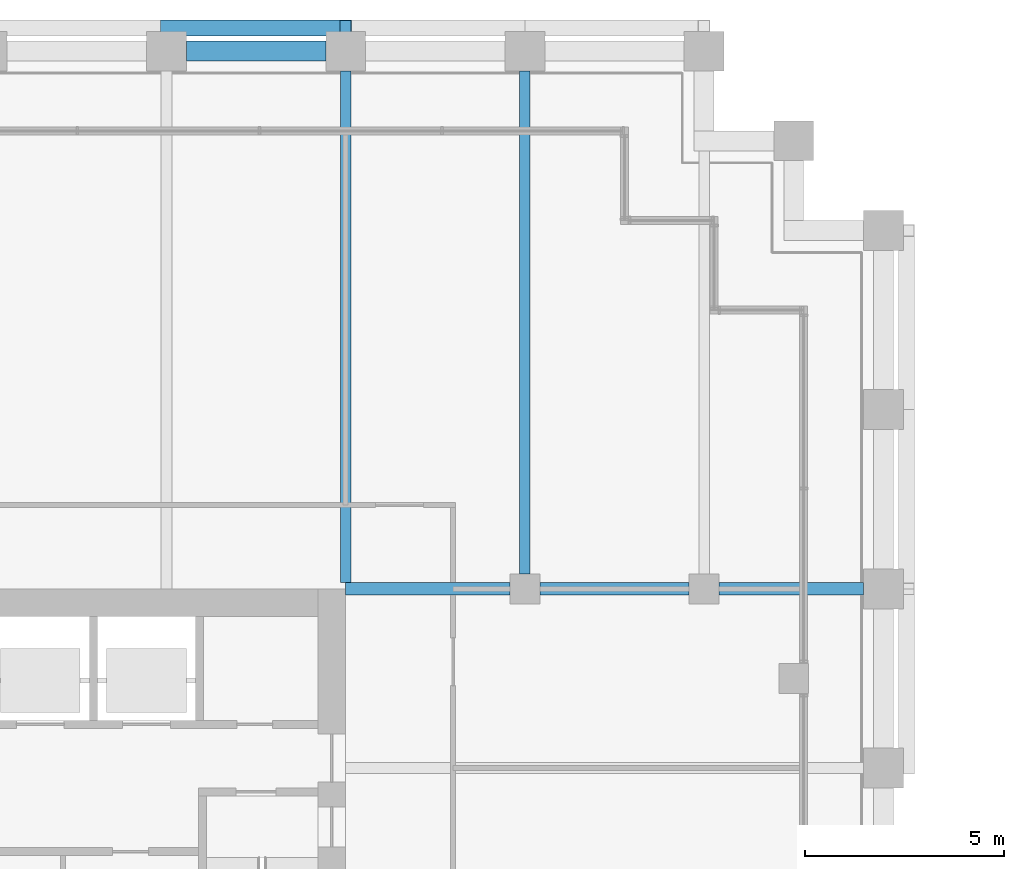
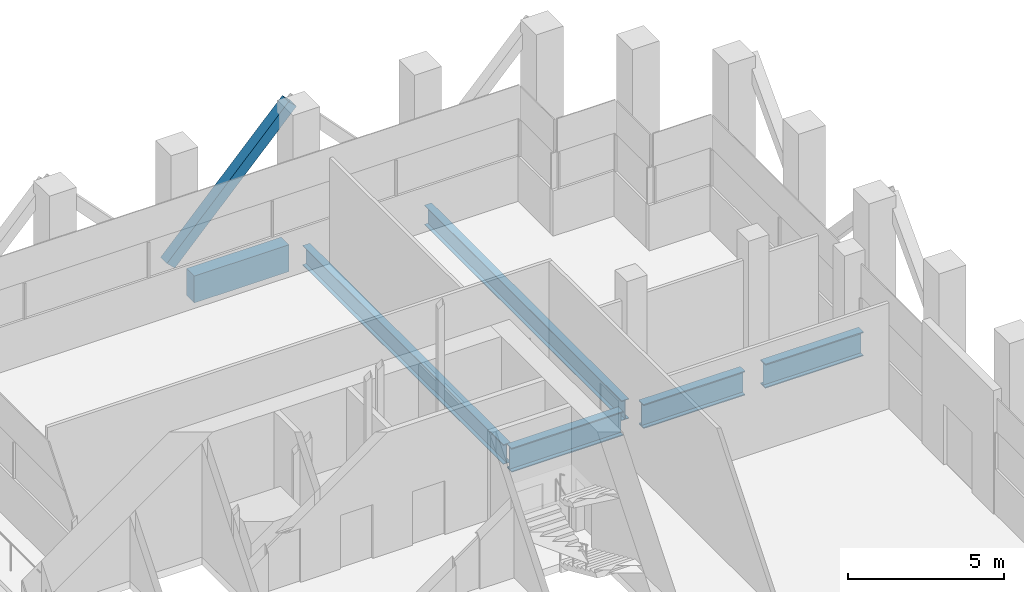
# One storey, part 18 of 48: 6 beams, 1 member.
"""IFC4 building model written with IfcOpenShell, lengths in metres."""

from ifc_helpers import new_model, si_unit, direction, frame, origin, origin_2d, place, context, subcontext, project, spatial, rectangle, hollow_rectangle, i_section, extrude, material, material_profile, profile_set, type_object, element, save


model = new_model("IFC4")

# Units and contexts
model_context = context("Model", 3, precision=1e-05, world=origin(), true_north=direction((0.0, 1.0)))
body_context = subcontext(model_context, "Body", "Model", "MODEL_VIEW")
ifc_project = project(units=[si_unit("LENGTHUNIT", "METRE"), si_unit("AREAUNIT", "SQUARE_METRE"), si_unit("VOLUMEUNIT", "CUBIC_METRE"), si_unit("PLANEANGLEUNIT", "RADIAN"), si_unit("MASSUNIT", "GRAM", prefix="KILO")], contexts=[model_context])

# Site, building, storey
site_placement = place(None, origin())
site = spatial("IfcSite", under=ifc_project, at=site_placement, CompositionType="ELEMENT")
building_placement = place(site_placement, origin())
building = spatial("IfcBuilding", under=site, at=building_placement, Name="Altepetl Exchange Towers", CompositionType="ELEMENT")
storey_placement = place(building_placement, frame((0.0, 0.0, 138.800048828125)))
storey = spatial("IfcBuildingStorey", under=building, at=storey_placement, Name="L34 Refuge and sky lobby", CompositionType="ELEMENT", Elevation=138.800048828125)

# Member
ifc_material_1 = material(Name="Steel S355", Category="steel")
ifc_material_profile_1 = material_profile(ifc_material_1, hollow_rectangle(XDim=0.406005859375, YDim=0.406005859375, WallThickness=0.014892578125, at=origin_2d()), Name="HSS406X406X15.9")
ifc_profile_set_1 = profile_set([ifc_material_profile_1], Name="Steel S355")
member_type = type_object("IfcMemberType", Name="Belt diagonal HSS406X406X15.9", PredefinedType="BRACE", material=ifc_profile_set_1)
member_placement = place(storey_placement, frame((58.5, 72.580078125, 4.75), z_axis=(-0.687744647911, 0.0, -0.725952683906), x_axis=(0.0, -1.0, 0.0)))
element("IfcMember", 1, at=member_placement, inside=storey, type_object=member_type, Name="brc:A:L34:015", PredefinedType="BRACE", context=body_context, shape_type="SweptSolid", body=[
    extrude(hollow_rectangle(XDim=0.406005859375, YDim=0.406005859375, WallThickness=0.014892578125, at=origin_2d()), origin(), (0.0, 0.0, 1.0), 6.543212890625),
])

# Beams
ifc_material_profile_2 = material_profile(ifc_material_1, i_section(OverallWidth=0.26806640625, OverallDepth=0.77392578125, WebThickness=0.015380859375, FlangeThickness=0.025390625, at=origin_2d()), Name="W30X132")
ifc_profile_set_2 = profile_set([ifc_material_profile_2], Name="Steel S355")
beam_type_1 = type_object("IfcBeamType", Name="Floor beam W30X132", PredefinedType="BEAM", material=ifc_profile_set_2)
beam_1_placement = place(storey_placement, frame((58.5, 58.654052734375, -0.587158203125), z_axis=(0.0, 1.0, 0.0), x_axis=(-1.0, 0.0, 0.0)))
element("IfcBeam", 2, at=beam_1_placement, inside=storey, type_object=beam_type_1, Name="bm:A:L34:003", PredefinedType="BEAM", context=body_context, shape_type="SweptSolid", body=[
    extrude(i_section(OverallWidth=0.26806640625, OverallDepth=0.77392578125, WebThickness=0.015380859375, FlangeThickness=0.025390625, at=origin_2d()), origin(), (0.0, 0.0, 1.0), 12.845947265625),
])
beam_2_placement = place(storey_placement, frame((63.0, 58.875, -0.587158203125), z_axis=(0.0, 1.0, 0.0), x_axis=(-1.0, 0.0, 0.0)))
element("IfcBeam", 3, at=beam_2_placement, inside=storey, type_object=beam_type_1, Name="bm:A:L34:004", PredefinedType="BEAM", context=body_context, shape_type="SweptSolid", body=[
    extrude(i_section(OverallWidth=0.26806640625, OverallDepth=0.77392578125, WebThickness=0.015380859375, FlangeThickness=0.025390625, at=origin_2d()), origin(), (0.0, 0.0, 1.0), 12.625),
])
ifc_material_profile_3 = material_profile(ifc_material_1, i_section(OverallWidth=0.30810546875, OverallDepth=0.943115234375, WebThickness=0.022216796875, FlangeThickness=0.039794921875, at=origin_2d()), Name="W36X232")
ifc_profile_set_3 = profile_set([ifc_material_profile_3], Name="Steel S355")
beam_type_2 = type_object("IfcBeamType", Name="Girder W36X232", PredefinedType="BEAM", material=ifc_profile_set_3)
beam_3_placement = place(storey_placement, frame((58.5, 58.5, -0.671630859375), z_axis=(1.0, 0.0, 0.0), x_axis=(0.0, 1.0, 0.0)))
element("IfcBeam", 4, at=beam_3_placement, inside=storey, type_object=beam_type_2, Name="gd:A:L34:000", PredefinedType="BEAM", context=body_context, shape_type="SweptSolid", body=[
    extrude(i_section(OverallWidth=0.30810546875, OverallDepth=0.943115234375, WebThickness=0.022216796875, FlangeThickness=0.039794921875, at=origin_2d()), origin(), (0.0, 0.0, 1.0), 4.125),
])
beam_4_placement = place(storey_placement, frame((63.375, 58.5, -0.671630859375), z_axis=(1.0, 0.0, 0.0), x_axis=(0.0, 1.0, 0.0)))
element("IfcBeam", 5, at=beam_4_placement, inside=storey, type_object=beam_type_2, Name="gd:A:L34:001", PredefinedType="BEAM", context=body_context, shape_type="SweptSolid", body=[
    extrude(i_section(OverallWidth=0.30810546875, OverallDepth=0.943115234375, WebThickness=0.022216796875, FlangeThickness=0.039794921875, at=origin_2d()), origin(), (0.0, 0.0, 1.0), 3.75),
])
beam_5_placement = place(storey_placement, frame((67.875, 58.5, -0.671630859375), z_axis=(1.0, 0.0, 0.0), x_axis=(0.0, 1.0, 0.0)))
element("IfcBeam", 6, at=beam_5_placement, inside=storey, type_object=beam_type_2, Name="gd:A:L34:002", PredefinedType="BEAM", context=body_context, shape_type="SweptSolid", body=[
    extrude(i_section(OverallWidth=0.30810546875, OverallDepth=0.943115234375, WebThickness=0.022216796875, FlangeThickness=0.039794921875, at=origin_2d()), origin(), (0.0, 0.0, 1.0), 3.625),
])
ifc_material_2 = material(Name="Concrete C50/60 precast with cantera rosa facing", Category="concrete")
ifc_material_profile_4 = material_profile(ifc_material_2, rectangle(XDim=0.5, YDim=1.050048828125, at=origin_2d()), Name="500 x 1050")
ifc_profile_set_4 = profile_set([ifc_material_profile_4], Name="Concrete C50/60 precast with cantera rosa facing")
beam_type_3 = type_object("IfcBeamType", Name="Spandrel beam 500x1050 cantera rosa", PredefinedType="SPANDREL", material=ifc_profile_set_4)
beam_6_placement = place(storey_placement, frame((58.0, 72.0, -0.72509765625), z_axis=(-1.0, 0.0, 0.0), x_axis=(0.0, -1.0, 0.0)))
element("IfcBeam", 7, at=beam_6_placement, inside=storey, type_object=beam_type_3, Name="sp:A:L34:026", PredefinedType="SPANDREL", context=body_context, shape_type="SweptSolid", body=[
    extrude(rectangle(XDim=0.5, YDim=1.050048828125, at=origin_2d()), origin(), (0.0, 0.0, 1.0), 3.5),
])

save(model, "model.ifc")
